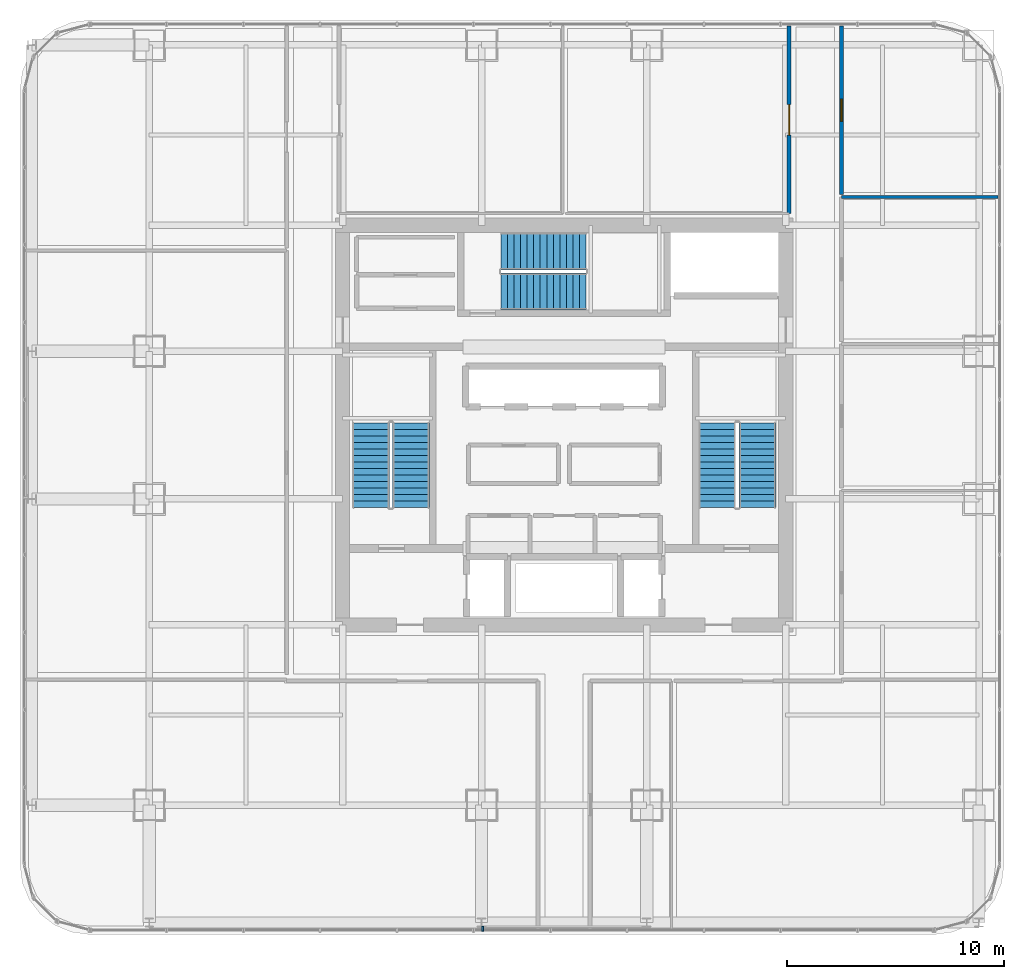
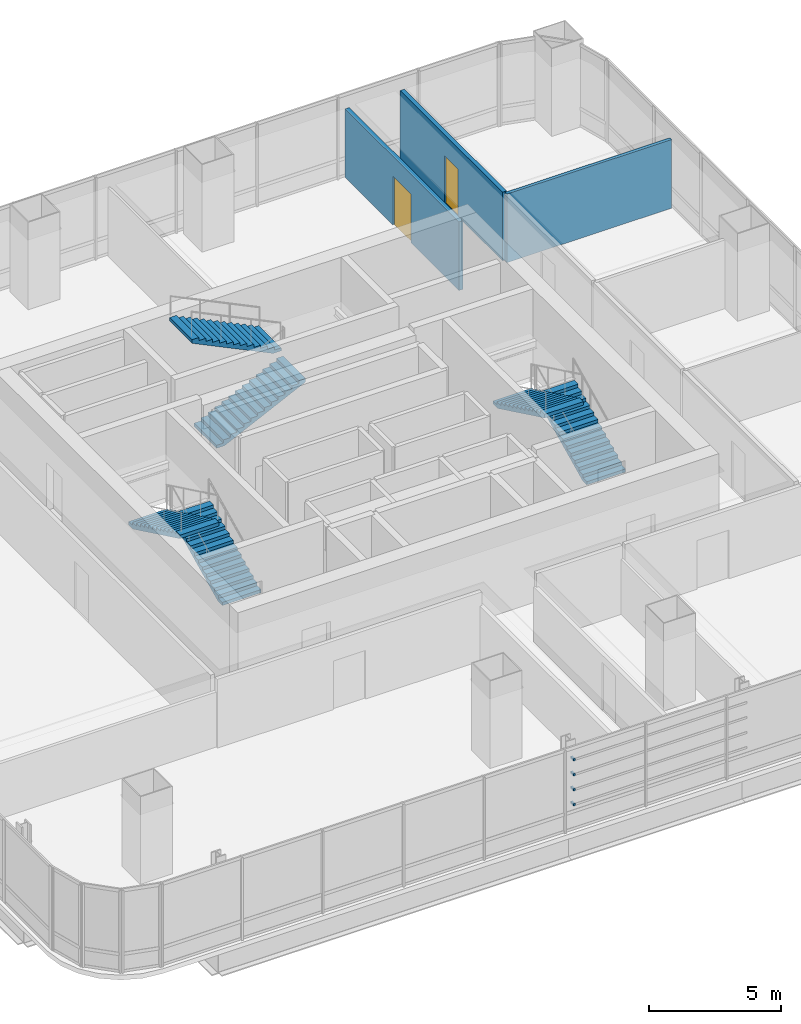
# One storey, part 31 of 37: 6 stair flights, 4 discrete accessories, 3 walls, 2 doors, 2 openings, 3 elements without a shape of their own.
"""IFC4 building model written with IfcOpenShell, lengths in metres."""

import ifcopenshell
import ifcopenshell.guid

model = None  # the IFC model being written
_history = None  # IfcOwnerHistory: only IFC2X3 demands one
_inside = {}  # id of a spatial element -> (the spatial element, [elements in it])
_under = {}  # id of a project, library or spatial element -> (it, [spatial elements below it])
_declared = {}  # id of a project -> (the project, [libraries it declares])
_typed = {}  # id of a type object -> (the type object, [elements of that type])
_made_of = {}  # id of a material, layer set ... -> (it, [elements and type objects made of it])


def new_model(schema):
    """Start an empty IFC model of exactly this schema.

    Asked for "IFC4X3", IfcOpenShell would pick the latest addendum, in which some entities
    have other attributes; the version numbers below select the first issue.
    IFC2X3 requires an IfcOwnerHistory on every rooted entity: one is made here for all.
    """
    global model, _history
    if schema == "IFC4X3":
        model = ifcopenshell.file(schema_version=(4, 3, 0, 0))
    else:
        model = ifcopenshell.file(schema=schema)
    _inside.clear()
    _under.clear()
    _declared.clear()
    _typed.clear()
    _made_of.clear()
    _history = None
    if model.schema == "IFC2X3":
        org = make("IfcOrganization", Name="unknown")
        user = make(
            "IfcPersonAndOrganization",
            ThePerson=make("IfcPerson", FamilyName="unknown"),
            TheOrganization=org,
        )
        app = make(
            "IfcApplication",
            ApplicationDeveloper=org,
            Version="unknown",
            ApplicationFullName="unknown",
            ApplicationIdentifier="unknown",
        )
        _history = make(
            "IfcOwnerHistory",
            OwningUser=user,
            OwningApplication=app,
            ChangeAction="ADDED",
            CreationDate=0,
        )
    return model


def make(cls, **values):
    """One entity of the class cls with the attributes given. An attribute that is None is left unset."""
    return model.create_entity(
        cls, **{name: value for name, value in values.items() if value is not None}
    )


def rooted(cls, **values):
    """An entity with a GlobalId (a new one), such as an element, a storey or a relation."""
    return make(cls, GlobalId=ifcopenshell.guid.new(), OwnerHistory=_history, **values)


def si_unit(unit_type, name, prefix=None):
    """IfcSIUnit, for example si_unit("LENGTHUNIT", "METRE", prefix="MILLI")."""
    return make("IfcSIUnit", UnitType=unit_type, Prefix=prefix, Name=name)


def assignment(units):
    """IfcUnitAssignment: the units of a project."""
    return None if units is None else make("IfcUnitAssignment", Units=units)


def point(xyz):
    """IfcCartesianPoint."""
    return None if xyz is None else make("IfcCartesianPoint", Coordinates=xyz)


def direction(xyz):
    """IfcDirection."""
    return None if xyz is None else make("IfcDirection", DirectionRatios=xyz)


def frame(location, z_axis=None, x_axis=None):
    """IfcAxis2Placement3D, a coordinate frame: its origin and axes. An axis left out is left unset."""
    return make(
        "IfcAxis2Placement3D",
        Location=point(location),
        Axis=direction(z_axis),
        RefDirection=direction(x_axis),
    )


def frame_2d(location, x_axis=None):
    """IfcAxis2Placement2D, a coordinate frame in the plane: its origin and x axis."""
    return make(
        "IfcAxis2Placement2D", Location=point(location), RefDirection=direction(x_axis)
    )


def origin():
    """The frame at (0, 0, 0) with its axes left unset."""
    return frame((0.0, 0.0, 0.0))


def origin_2d():
    """The frame at (0, 0) in the plane with its x axis left unset."""
    return frame_2d((0.0, 0.0))


def place(relative_to, where):
    """IfcLocalPlacement: puts the frame where relative to a parent placement (None: the world)."""
    return make(
        "IfcLocalPlacement", PlacementRelTo=relative_to, RelativePlacement=where
    )


def context(
    kind, dimensions, precision=None, world=None, true_north=None, identifier=None
):
    """IfcGeometricRepresentationContext, for example the 3D "Model" context."""
    return make(
        "IfcGeometricRepresentationContext",
        ContextIdentifier=identifier,
        ContextType=kind,
        CoordinateSpaceDimension=dimensions,
        Precision=precision,
        WorldCoordinateSystem=world,
        TrueNorth=true_north,
    )


def subcontext(parent, identifier, kind, view, scale=None):
    """IfcGeometricRepresentationSubContext, for example "Body" below "Model"."""
    return make(
        "IfcGeometricRepresentationSubContext",
        ContextIdentifier=identifier,
        ContextType=kind,
        ParentContext=parent,
        TargetScale=scale,
        TargetView=view,
    )


def project(units=None, contexts=None):
    """IfcProject with its units and contexts."""
    return rooted(
        "IfcProject",
        Name="project",
        RepresentationContexts=contexts,
        UnitsInContext=assignment(units),
    )


def spatial(cls, under=None, at=None, **own):
    """A site, building, storey or space (cls), placed at a placement, below another one or the project."""
    s = rooted(cls, ObjectPlacement=at, **own)
    if under is not None:
        _under.setdefault(under.id(), (under, []))[1].append(s)
    return s


def polyline(points):
    """IfcPolyline through the points."""
    return make("IfcPolyline", Points=[point(p) for p in points])


def profile(cls, at=None, kind="AREA", **sizes):
    """A parametric profile (cls). Its sizes go by their IFC names, for example OverallWidth=200.0."""
    return make(cls, ProfileType=kind, Position=at, **sizes)


def rectangle(**sizes):
    """IfcRectangleProfileDef."""
    return profile("IfcRectangleProfileDef", **sizes)


def outline(outer, holes=None, kind="AREA"):
    """IfcArbitraryClosedProfileDef: a profile drawn as a closed curve; with holes, ...WithVoids."""
    if holes is None:
        return make("IfcArbitraryClosedProfileDef", ProfileType=kind, OuterCurve=outer)
    return make(
        "IfcArbitraryProfileDefWithVoids",
        ProfileType=kind,
        OuterCurve=outer,
        InnerCurves=holes,
    )


def extrude(swept, where, along, depth):
    """IfcExtrudedAreaSolid: the profile swept, set in the frame where, extruded along a direction by depth."""
    return make(
        "IfcExtrudedAreaSolid",
        SweptArea=swept,
        Position=where,
        ExtrudedDirection=direction(along),
        Depth=depth,
    )


def shape(context_of_items, identifier, shape_type, items):
    """IfcShapeRepresentation: the items that make up one representation, for example the "Body"."""
    return make(
        "IfcShapeRepresentation",
        ContextOfItems=context_of_items,
        RepresentationIdentifier=identifier,
        RepresentationType=shape_type,
        Items=items,
    )


def material(Name=None, Category=None):
    """IfcMaterial."""
    return make("IfcMaterial", Name=Name, Category=Category)


def layer(
    of_material, thickness, ventilated=None, Name=None, Category=None, Priority=None
):
    """IfcMaterialLayer: one layer of a wall or slab, of a material (None: an air gap)."""
    return make(
        "IfcMaterialLayer",
        Material=of_material,
        LayerThickness=thickness,
        IsVentilated=ventilated,
        Name=Name,
        Category=Category,
        Priority=Priority,
    )


def layer_set(layers, Name=None):
    """IfcMaterialLayerSet."""
    return make("IfcMaterialLayerSet", MaterialLayers=layers, LayerSetName=Name)


def made_of(thing, what):
    """Note that an element or type object is made of a material, layer set ...; save() writes the relation."""
    if what is not None:
        _made_of.setdefault(what.id(), (what, []))[1].append(thing)
    return thing


def type_object(cls, material=None, **own):
    """A type object (cls), such as IfcWallType, which elements share."""
    return made_of(rooted(cls, **own), material)


def element(
    cls,
    number,
    at=None,
    inside=None,
    cuts=None,
    type_object=None,
    material=None,
    context=None,
    identifier="Body",
    shape_type=None,
    held_by="IfcProductDefinitionShape",
    body=None,
    shapes=None,
    **own,
):
    """One element of the class cls, such as IfcWall. Its Tag is "e" and its number.

    at: its placement. inside: the storey or other place that contains it. cuts: it is an
    opening in that element (IfcRelVoidsElement). A single representation is given by context,
    identifier, shape_type and body (its items); several are given by shapes. held_by: the class
    of the entity that holds the representations. save() writes the other relations.
    """
    e = rooted(cls, Tag="e%d" % number, ObjectPlacement=at, **own)
    if body is not None:
        shapes = [shape(context, identifier, shape_type, body)]
    if shapes is not None:
        e.Representation = make(held_by, Representations=shapes)
    if inside is not None:
        _inside.setdefault(inside.id(), (inside, []))[1].append(e)
    if cuts is not None:
        rooted(
            "IfcRelVoidsElement", RelatingBuildingElement=cuts, RelatedOpeningElement=e
        )
    if type_object is not None:
        _typed.setdefault(type_object.id(), (type_object, []))[1].append(e)
    return made_of(e, material)


def fill(opening, filler):
    """IfcRelFillsElement: the door or window that sits in an opening."""
    return rooted(
        "IfcRelFillsElement",
        RelatingOpeningElement=opening,
        RelatedBuildingElement=filler,
    )


def aggregate(whole, parts):
    """IfcRelAggregates: a whole, such as a stair, and the parts it consists of."""
    return rooted("IfcRelAggregates", RelatingObject=whole, RelatedObjects=parts)


def save(model, path):
    """Write the relations noted so far, then the file.

    IfcRelAggregates (storeys below a building ...), IfcRelContainedInSpatialStructure (elements
    in a storey), IfcRelDefinesByType, IfcRelAssociatesMaterial and IfcRelDeclares: one each for
    every whole, place, type object, material and project.
    """
    for whole, parts in _under.values():
        aggregate(whole, parts)
    for where, things in _inside.values():
        rooted(
            "IfcRelContainedInSpatialStructure",
            RelatedElements=things,
            RelatingStructure=where,
        )
    for kind, things in _typed.values():
        rooted("IfcRelDefinesByType", RelatedObjects=things, RelatingType=kind)
    for what, things in _made_of.values():
        rooted("IfcRelAssociatesMaterial", RelatedObjects=things, RelatingMaterial=what)
    for by, libraries in _declared.values():
        rooted("IfcRelDeclares", RelatingContext=by, RelatedDefinitions=libraries)
    model.write(path)


model = new_model("IFC4")

# Units and contexts
model_context = context("Model", 3, precision=1e-05, world=origin(), true_north=direction((0.0, 1.0)))
body_context = subcontext(model_context, "Body", "Model", "MODEL_VIEW")
ifc_project = project(units=[si_unit("LENGTHUNIT", "METRE"), si_unit("AREAUNIT", "SQUARE_METRE"), si_unit("VOLUMEUNIT", "CUBIC_METRE"), si_unit("PLANEANGLEUNIT", "RADIAN"), si_unit("MASSUNIT", "GRAM", prefix="KILO")], contexts=[model_context])

# Site, building, storey
site_placement = place(None, origin())
site = spatial("IfcSite", under=ifc_project, at=site_placement, CompositionType="ELEMENT")
building_placement = place(site_placement, origin())
building = spatial("IfcBuilding", under=site, at=building_placement, Name="Punatoya Terracotta Tower", CompositionType="ELEMENT")
storey_placement = place(building_placement, frame((0.0, 0.0, 192.449951171875)))
storey = spatial("IfcBuildingStorey", under=building, at=storey_placement, Name="L45", CompositionType="ELEMENT", Elevation=192.449951171875)

# Wall, opening, door
ifc_material_1 = material(Name="Gypsum Fireboard + Steel Stud", Category="steel")
ifc_layer_1 = layer(ifc_material_1, 0.179931640625)
ifc_layer_set_1 = layer_set([ifc_layer_1], Name="Gypsum Fireboard + Steel Stud")
wall_type_1 = type_object("IfcWallType", Name="WL-CORR-180", PredefinedType="PARTITIONING", material=ifc_layer_set_1)
wall_1_placement = place(storey_placement, frame((10.360107421875, 18.3701171875, 0.0), z_axis=(0.0, 0.0, 1.0), x_axis=(0.0, -1.0, 0.0)))
wall_1 = element("IfcWall", 1, at=wall_1_placement, inside=storey, type_object=wall_type_1, Name="L45 Open-Plan Roundtable Conference Room Partition 42", PredefinedType="PARTITIONING", context=body_context, shape_type="SweptSolid", body=[
    extrude(rectangle(XDim=8.630126953125, YDim=0.179931640625, at=frame_2d((4.31494140625, 0.0))), origin(), (0.0, 0.0, 1.0), 3.174072265625),
])
opening_1_placement = place(wall_1_placement, frame((3.614990234375, 0.0, 0.0)))
opening_1 = element("IfcOpeningElement", 2, at=opening_1_placement, cuts=wall_1, Name="Opening BD-01", PredefinedType="OPENING", context=body_context, shape_type="SweptSolid", body=[
    extrude(rectangle(XDim=1.39990234375, YDim=2.25, at=frame_2d((0.699951171875, 1.125))), frame((0.0, 0.099853515625, 0.0), z_axis=(0.0, -1.0, 0.0), x_axis=(1.0, 0.0, 0.0)), (0.0, 0.0, 1.0), 0.199951171875),
])
ifc_material_2 = material(Name="Bengal Teak Acoustic Leaf")
door_type_1 = type_object("IfcDoorType", Name="DR-BRD-1400", OperationType="NOTDEFINED", PredefinedType="DOOR", material=ifc_material_2)
door_1_placement = place(opening_1_placement, origin())
door_1 = element("IfcDoor", 3, at=door_1_placement, inside=storey, type_object=door_type_1, Name="L45 Open-Plan Roundtable Conference Room Door", OperationType="SINGLE_SWING_LEFT", OverallHeight=2.25, OverallWidth=1.39990234375, PredefinedType="DOOR", context=body_context, shape_type="SweptSolid", body=[
    extrude(rectangle(XDim=1.39990234375, YDim=2.25, at=frame_2d((0.699951171875, 1.125))), frame((0.0, 0.02490234375, 0.0), z_axis=(0.0, -1.0, 0.0), x_axis=(1.0, 0.0, 0.0)), (0.0, 0.0, 1.0), 0.050048828125),
])
fill(opening_1, door_1)

wall_2_placement = place(storey_placement, frame((12.77001953125, 10.614013671875, 0.0), z_axis=(0.0, 0.0, 1.0), x_axis=(0.0, 1.0, 0.0)))
wall_2 = element("IfcWall", 4, at=wall_2_placement, inside=storey, type_object=wall_type_1, Name="L45 Open-Plan Translation Conference Room Partition 43", PredefinedType="PARTITIONING", context=body_context, shape_type="SweptSolid", body=[
    extrude(rectangle(XDim=7.756103515625, YDim=0.179931640625, at=frame_2d((3.8779296875, 0.0))), origin(), (0.0, 0.0, 1.0), 3.174072265625),
])
opening_2_placement = place(wall_2_placement, frame((3.367919921875, 0.0, 0.0)))
opening_2 = element("IfcOpeningElement", 5, at=opening_2_placement, cuts=wall_2, Name="Opening MD-01", PredefinedType="OPENING", context=body_context, shape_type="SweptSolid", body=[
    extrude(rectangle(XDim=1.02001953125, YDim=2.199951171875, at=frame_2d((0.510009765625, 1.10009765625))), frame((0.0, 0.099853515625, 0.0), z_axis=(0.0, -1.0, 0.0), x_axis=(1.0, 0.0, 0.0)), (0.0, 0.0, 1.0), 0.199951171875),
])
ifc_material_3 = material(Name="Aluminium + Acoustic Glass Leaf", Category="aluminium")
door_type_2 = type_object("IfcDoorType", Name="DR-MTG-1020", OperationType="NOTDEFINED", PredefinedType="DOOR", material=ifc_material_3)
door_2_placement = place(opening_2_placement, origin())
door_2 = element("IfcDoor", 6, at=door_2_placement, inside=storey, type_object=door_type_2, Name="L45 Open-Plan Translation Conference Room Door", OperationType="SINGLE_SWING_RIGHT", OverallHeight=2.199951171875, OverallWidth=1.02001953125, PredefinedType="DOOR", context=body_context, shape_type="SweptSolid", body=[
    extrude(rectangle(XDim=1.02001953125, YDim=2.199951171875, at=frame_2d((0.510009765625, 1.10009765625))), frame((0.0, 0.02490234375, 0.0), z_axis=(0.0, -1.0, 0.0), x_axis=(1.0, 0.0, 0.0)), (0.0, 0.0, 1.0), 0.050048828125),
])
fill(opening_2, door_2)

# Wall
ifc_material_4 = material(Name="Acoustic Gypsum + Steel Stud", Category="steel")
ifc_layer_2 = layer(ifc_material_4, 0.139892578125)
ifc_layer_set_2 = layer_set([ifc_layer_2], Name="Acoustic Gypsum + Steel Stud")
wall_type_2 = type_object("IfcWallType", Name="WL-OFF-140", PredefinedType="PARTITIONING", material=ifc_layer_set_2)
wall_3_placement = place(storey_placement, frame((12.77001953125, 10.493896484375, 0.0), z_axis=(0.0, 0.0, 1.0), x_axis=(1.0, 0.0, 0.0)))
element("IfcWall", 7, at=wall_3_placement, inside=storey, type_object=wall_type_2, Name="L45 Wellness Focus Room Partition 36", PredefinedType="PARTITIONING", context=body_context, shape_type="SweptSolid", body=[
    extrude(rectangle(XDim=7.199951171875, YDim=0.139892578125, at=frame_2d((3.60009765625, 0.0))), origin(), (0.0, 0.0, 1.0), 3.174072265625),
])

# Stair, stair flights
ifc_material_5 = material(Name="Concrete C40/50", Category="concrete")
stair_type_1 = type_object("IfcStairType", Name="STR-CORE-1550", PredefinedType="HALF_TURN_STAIR", material=ifc_material_5)
stair_1_placement = place(storey_placement, origin())
stair_1 = element("IfcStair", 8, at=stair_1_placement, inside=storey, type_object=stair_type_1, Name="L45 Protected Core Exit Stair ST-1", PredefinedType="HALF_TURN_STAIR")
stair_flight_type_1 = type_object("IfcStairFlightType", Name="SFL-CORE-1550", PredefinedType="STRAIGHT", material=ifc_material_5)
stair_flight_1_placement = place(storey_placement, frame((-7.050048828125, -3.800048828125, 0.0), z_axis=(0.0, 0.0, 1.0), x_axis=(0.0, 1.0, 0.0)))
stair_flight_1 = element("IfcStairFlight", 9, at=stair_flight_1_placement, type_object=stair_flight_type_1, Name="ST-1 flight 1", NumberOfRisers=14, NumberOfTreads=13, PredefinedType="STRAIGHT", RiserHeight=0.144642857, TreadLength=0.3, context=body_context, shape_type="SweptSolid", body=[
    extrude(outline(polyline([(0.0, 0.0), (0.0, 0.14453125), (0.300048828125, 0.14453125), (0.300048828125, 0.289306640625), (0.60009765625, 0.289306640625), (0.60009765625, 0.433837890625), (0.89990234375, 0.433837890625), (0.89990234375, 0.57861328125), (1.199951171875, 0.57861328125), (1.199951171875, 0.72314453125), (1.5, 0.72314453125), (1.5, 0.867919921875), (1.800048828125, 0.867919921875), (1.800048828125, 1.012451171875), (2.10009765625, 1.012451171875), (2.10009765625, 1.1572265625), (2.39990234375, 1.1572265625), (2.39990234375, 1.3017578125), (2.699951171875, 1.3017578125), (2.699951171875, 1.446533203125), (3.0, 1.446533203125), (3.0, 1.591064453125), (3.300048828125, 1.591064453125), (3.300048828125, 1.735595703125), (3.60009765625, 1.735595703125), (3.60009765625, 1.88037109375), (3.89990234375, 1.88037109375), (3.89990234375, 2.02490234375), (3.89990234375, 1.7138671875), (0.34521484375, 0.0), (0.0, 0.0)])), frame((0.0, 0.85009765625, 0.0), z_axis=(0.0, -1.0, 0.0), x_axis=(1.0, 0.0, 0.0)), (0.0, 0.0, 1.0), 1.699951171875),
])
stair_flight_2_placement = place(storey_placement, frame((-8.89990234375, 0.10009765625, 2.025146484375), z_axis=(0.0, 0.0, 1.0), x_axis=(0.0, -1.0, 0.0)))
stair_flight_2 = element("IfcStairFlight", 10, at=stair_flight_2_placement, type_object=stair_flight_type_1, Name="ST-1 flight 2", NumberOfRisers=14, NumberOfTreads=13, PredefinedType="STRAIGHT", RiserHeight=0.144642857, TreadLength=0.3, context=body_context, shape_type="SweptSolid", body=[
    extrude(outline(polyline([(0.0, 0.0), (0.0, 0.14453125), (0.300048828125, 0.14453125), (0.300048828125, 0.289306640625), (0.60009765625, 0.289306640625), (0.60009765625, 0.433837890625), (0.89990234375, 0.433837890625), (0.89990234375, 0.57861328125), (1.199951171875, 0.57861328125), (1.199951171875, 0.72314453125), (1.5, 0.72314453125), (1.5, 0.867919921875), (1.800048828125, 0.867919921875), (1.800048828125, 1.012451171875), (2.10009765625, 1.012451171875), (2.10009765625, 1.1572265625), (2.39990234375, 1.1572265625), (2.39990234375, 1.3017578125), (2.699951171875, 1.3017578125), (2.699951171875, 1.446533203125), (3.0, 1.446533203125), (3.0, 1.591064453125), (3.300048828125, 1.591064453125), (3.300048828125, 1.735595703125), (3.60009765625, 1.735595703125), (3.60009765625, 1.88037109375), (3.89990234375, 1.88037109375), (3.89990234375, 2.02490234375), (3.89990234375, 1.7138671875), (0.34521484375, 0.0), (0.0, 0.0)])), frame((0.0, 0.85009765625, 0.0), z_axis=(0.0, -1.0, 0.0), x_axis=(1.0, 0.0, 0.0)), (0.0, 0.0, 1.0), 1.699951171875),
])
aggregate(stair_1, [stair_flight_1, stair_flight_2])

stair_type_2 = type_object("IfcStairType", Name="STR-LOB-1650", PredefinedType="HALF_TURN_STAIR", material=ifc_material_5)
stair_2_placement = place(storey_placement, origin())
stair_2 = element("IfcStair", 11, at=stair_2_placement, inside=storey, type_object=stair_type_2, Name="L45 Protected Core Exit Stair ST-2", PredefinedType="HALF_TURN_STAIR")
stair_flight_type_2 = type_object("IfcStairFlightType", Name="SFL-LOB-1650", PredefinedType="STRAIGHT", material=ifc_material_5)
stair_flight_3_placement = place(storey_placement, frame((8.89990234375, -3.800048828125, 0.0), z_axis=(0.0, 0.0, 1.0), x_axis=(0.0, 1.0, 0.0)))
stair_flight_3 = element("IfcStairFlight", 12, at=stair_flight_3_placement, type_object=stair_flight_type_2, Name="ST-2 flight 1", NumberOfRisers=14, NumberOfTreads=13, PredefinedType="STRAIGHT", RiserHeight=0.144642857, TreadLength=0.3, context=body_context, shape_type="SweptSolid", body=[
    extrude(outline(polyline([(0.0, 0.0), (0.0, 0.14453125), (0.300048828125, 0.14453125), (0.300048828125, 0.289306640625), (0.60009765625, 0.289306640625), (0.60009765625, 0.433837890625), (0.89990234375, 0.433837890625), (0.89990234375, 0.57861328125), (1.199951171875, 0.57861328125), (1.199951171875, 0.72314453125), (1.5, 0.72314453125), (1.5, 0.867919921875), (1.800048828125, 0.867919921875), (1.800048828125, 1.012451171875), (2.10009765625, 1.012451171875), (2.10009765625, 1.1572265625), (2.39990234375, 1.1572265625), (2.39990234375, 1.3017578125), (2.699951171875, 1.3017578125), (2.699951171875, 1.446533203125), (3.0, 1.446533203125), (3.0, 1.591064453125), (3.300048828125, 1.591064453125), (3.300048828125, 1.735595703125), (3.60009765625, 1.735595703125), (3.60009765625, 1.88037109375), (3.89990234375, 1.88037109375), (3.89990234375, 2.02490234375), (3.89990234375, 1.7138671875), (0.34521484375, 0.0), (0.0, 0.0)])), frame((0.0, 0.85009765625, 0.0), z_axis=(0.0, -1.0, 0.0), x_axis=(1.0, 0.0, 0.0)), (0.0, 0.0, 1.0), 1.699951171875),
])
stair_flight_4_placement = place(storey_placement, frame((7.050048828125, 0.10009765625, 2.025146484375), z_axis=(0.0, 0.0, 1.0), x_axis=(0.0, -1.0, 0.0)))
stair_flight_4 = element("IfcStairFlight", 13, at=stair_flight_4_placement, type_object=stair_flight_type_2, Name="ST-2 flight 2", NumberOfRisers=14, NumberOfTreads=13, PredefinedType="STRAIGHT", RiserHeight=0.144642857, TreadLength=0.3, context=body_context, shape_type="SweptSolid", body=[
    extrude(outline(polyline([(0.0, 0.0), (0.0, 0.14453125), (0.300048828125, 0.14453125), (0.300048828125, 0.289306640625), (0.60009765625, 0.289306640625), (0.60009765625, 0.433837890625), (0.89990234375, 0.433837890625), (0.89990234375, 0.57861328125), (1.199951171875, 0.57861328125), (1.199951171875, 0.72314453125), (1.5, 0.72314453125), (1.5, 0.867919921875), (1.800048828125, 0.867919921875), (1.800048828125, 1.012451171875), (2.10009765625, 1.012451171875), (2.10009765625, 1.1572265625), (2.39990234375, 1.1572265625), (2.39990234375, 1.3017578125), (2.699951171875, 1.3017578125), (2.699951171875, 1.446533203125), (3.0, 1.446533203125), (3.0, 1.591064453125), (3.300048828125, 1.591064453125), (3.300048828125, 1.735595703125), (3.60009765625, 1.735595703125), (3.60009765625, 1.88037109375), (3.89990234375, 1.88037109375), (3.89990234375, 2.02490234375), (3.89990234375, 1.7138671875), (0.34521484375, 0.0), (0.0, 0.0)])), frame((0.0, 0.85009765625, 0.0), z_axis=(0.0, -1.0, 0.0), x_axis=(1.0, 0.0, 0.0)), (0.0, 0.0, 1.0), 1.699951171875),
])
aggregate(stair_2, [stair_flight_3, stair_flight_4])

stair_type_3 = type_object("IfcStairType", Name="STR-TER-1450", PredefinedType="HALF_TURN_STAIR", material=ifc_material_5)
stair_3_placement = place(storey_placement, origin())
stair_3 = element("IfcStair", 14, at=stair_3_placement, inside=storey, type_object=stair_type_3, Name="L45 Protected Core Exit Stair ST-3", PredefinedType="HALF_TURN_STAIR")
stair_flight_type_3 = type_object("IfcStairFlightType", Name="SFL-TER-1450", PredefinedType="STRAIGHT", material=ifc_material_5)
stair_flight_5_placement = place(storey_placement, frame((-2.89990234375, 6.14990234375, 0.0), z_axis=(0.0, 0.0, 1.0), x_axis=(1.0, 0.0, 0.0)))
stair_flight_5 = element("IfcStairFlight", 15, at=stair_flight_5_placement, type_object=stair_flight_type_3, Name="ST-3 flight 1", NumberOfRisers=14, NumberOfTreads=13, PredefinedType="STRAIGHT", RiserHeight=0.144642857, TreadLength=0.3, context=body_context, shape_type="SweptSolid", body=[
    extrude(outline(polyline([(0.0, 0.0), (0.0, 0.14453125), (0.300048828125, 0.14453125), (0.300048828125, 0.289306640625), (0.60009765625, 0.289306640625), (0.60009765625, 0.433837890625), (0.89990234375, 0.433837890625), (0.89990234375, 0.57861328125), (1.199951171875, 0.57861328125), (1.199951171875, 0.72314453125), (1.5, 0.72314453125), (1.5, 0.867919921875), (1.800048828125, 0.867919921875), (1.800048828125, 1.012451171875), (2.10009765625, 1.012451171875), (2.10009765625, 1.1572265625), (2.39990234375, 1.1572265625), (2.39990234375, 1.3017578125), (2.699951171875, 1.3017578125), (2.699951171875, 1.446533203125), (3.0, 1.446533203125), (3.0, 1.591064453125), (3.300048828125, 1.591064453125), (3.300048828125, 1.735595703125), (3.60009765625, 1.735595703125), (3.60009765625, 1.88037109375), (3.89990234375, 1.88037109375), (3.89990234375, 2.02490234375), (3.89990234375, 1.7138671875), (0.34521484375, 0.0), (0.0, 0.0)])), frame((0.0, 0.85009765625, 0.0), z_axis=(0.0, -1.0, 0.0), x_axis=(1.0, 0.0, 0.0)), (0.0, 0.0, 1.0), 1.699951171875),
])
stair_flight_6_placement = place(storey_placement, frame((1.0, 8.0, 2.025146484375), z_axis=(0.0, 0.0, 1.0), x_axis=(-1.0, 0.0, 0.0)))
stair_flight_6 = element("IfcStairFlight", 16, at=stair_flight_6_placement, type_object=stair_flight_type_3, Name="ST-3 flight 2", NumberOfRisers=14, NumberOfTreads=13, PredefinedType="STRAIGHT", RiserHeight=0.144642857, TreadLength=0.3, context=body_context, shape_type="SweptSolid", body=[
    extrude(outline(polyline([(0.0, 0.0), (0.0, 0.14453125), (0.300048828125, 0.14453125), (0.300048828125, 0.289306640625), (0.60009765625, 0.289306640625), (0.60009765625, 0.433837890625), (0.89990234375, 0.433837890625), (0.89990234375, 0.57861328125), (1.199951171875, 0.57861328125), (1.199951171875, 0.72314453125), (1.5, 0.72314453125), (1.5, 0.867919921875), (1.800048828125, 0.867919921875), (1.800048828125, 1.012451171875), (2.10009765625, 1.012451171875), (2.10009765625, 1.1572265625), (2.39990234375, 1.1572265625), (2.39990234375, 1.3017578125), (2.699951171875, 1.3017578125), (2.699951171875, 1.446533203125), (3.0, 1.446533203125), (3.0, 1.591064453125), (3.300048828125, 1.591064453125), (3.300048828125, 1.735595703125), (3.60009765625, 1.735595703125), (3.60009765625, 1.88037109375), (3.89990234375, 1.88037109375), (3.89990234375, 2.02490234375), (3.89990234375, 1.7138671875), (0.34521484375, 0.0), (0.0, 0.0)])), frame((0.0, 0.85009765625, 0.0), z_axis=(0.0, -1.0, 0.0), x_axis=(1.0, 0.0, 0.0)), (0.0, 0.0, 1.0), 1.699951171875),
])
aggregate(stair_3, [stair_flight_5, stair_flight_6])

# Discrete accessories
ifc_material_6 = material(Name="Steel S355", Category="steel")
discrete_accessory_type = type_object("IfcDiscreteAccessoryType", Name="ACC-BRK-220", PredefinedType="BRACKET", material=ifc_material_6)
for number, where, z_axis, x_axis, name in (
    (17, (-3.75, -23.1826171875, 1.10009765625), (0.0, 0.0, 1.0), (1.0, 0.0, 0.0), "L45 Baguette Louvre Column Bracket BAG-L45-S-01"),
    (18, (-3.75, -23.1826171875, 1.793212890625), (0.0, 0.0, 1.0), (1.0, 0.0, 0.0), "L45 Baguette Louvre Column Bracket BAG-L45-S-02"),
    (19, (-3.75, -23.1826171875, 2.48681640625), (0.0, 0.0, 1.0), (1.0, 0.0, 0.0), "L45 Baguette Louvre Column Bracket BAG-L45-S-03"),
    (20, (-3.75, -23.1826171875, 3.179931640625), (0.0, 0.0, 1.0), (1.0, 0.0, 0.0), "L45 Baguette Louvre Column Bracket BAG-L45-S-04"),
):
    element("IfcDiscreteAccessory", number, at=place(storey_placement, frame(where, z_axis=z_axis, x_axis=x_axis)), inside=storey, type_object=discrete_accessory_type, Name=name, PredefinedType="BRACKET", context=body_context, shape_type="SweptSolid", body=[
        extrude(rectangle(XDim=0.090087890625, YDim=0.219970703125, at=origin_2d()), origin(), (0.0, 0.0, 1.0), 0.10009765625),
    ])

save(model, "model.ifc")
